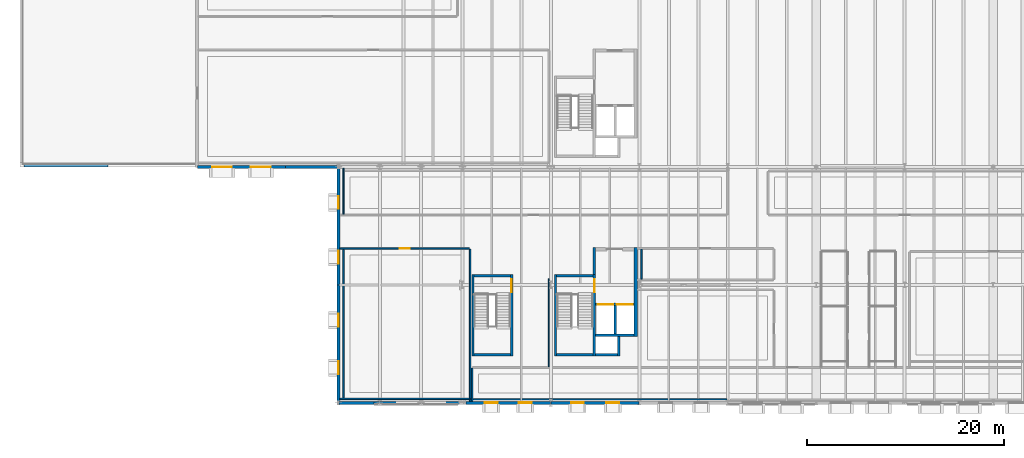
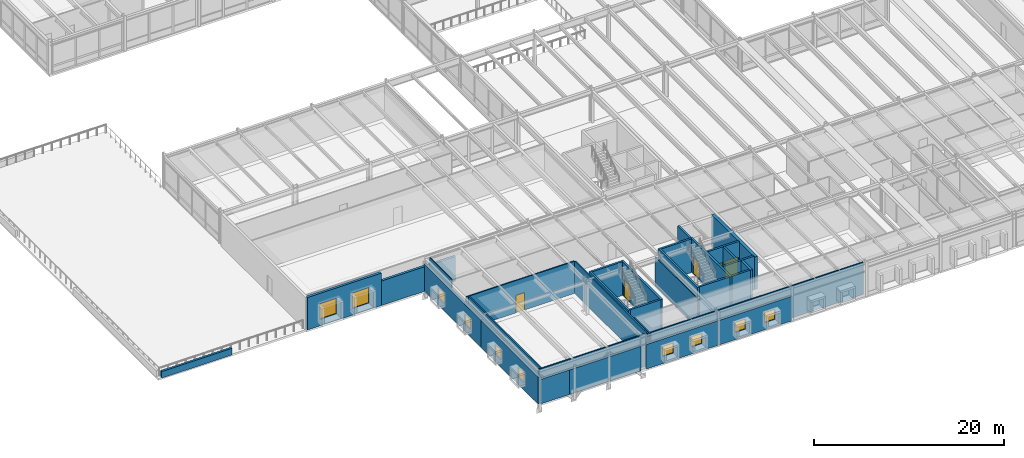
# One storey, part 107 of 127: 33 walls, 10 windows, 5 doors, 15 openings.
"""IFC4 building model written with IfcOpenShell, lengths in metres."""

from ifc_helpers import new_model, si_unit, direction, frame, frame_2d, origin, place, context, subcontext, project, spatial, rectangle, extrude, material, layer, layer_set, type_object, element, fill, save


model = new_model("IFC4")

# Units and contexts
model_context = context("Model", 3, precision=1e-05, world=origin(), true_north=direction((0.0, 1.0)))
body_context = subcontext(model_context, "Body", "Model", "MODEL_VIEW")
ifc_project = project(units=[si_unit("LENGTHUNIT", "METRE"), si_unit("AREAUNIT", "SQUARE_METRE"), si_unit("VOLUMEUNIT", "CUBIC_METRE"), si_unit("PLANEANGLEUNIT", "RADIAN"), si_unit("MASSUNIT", "GRAM", prefix="KILO")], contexts=[model_context])

# Site, building, storey
site_placement = place(None, origin())
site = spatial("IfcSite", under=ifc_project, at=site_placement, CompositionType="ELEMENT")
building_placement = place(site_placement, origin())
building = spatial("IfcBuilding", under=site, at=building_placement, Name="Montelvaro Courts of Justice", CompositionType="ELEMENT")
storey_placement = place(building_placement, frame((0.0, 0.0, 5.39990234375)))
storey = spatial("IfcBuildingStorey", under=building, at=storey_placement, Name="L01", CompositionType="ELEMENT", Elevation=5.39990234375)

# Walls
ifc_material_1 = material(Name="Gypsum board on metal stud")
ifc_layer_1 = layer(ifc_material_1, 0.14990234375)
ifc_layer_set_1 = layer_set([ifc_layer_1], Name="Gypsum board on metal stud")
wall_type_1 = type_object("IfcWallType", Name="ChambersPartition_150", PredefinedType="PARTITIONING", material=ifc_layer_set_1)
wall_1_placement = place(storey_placement, frame((71.919921875, 0.360107421875, 0.0), z_axis=(0.0, 0.0, 1.0), x_axis=(-1.0, 0.0, 0.0)))
element("IfcWall", 1, at=wall_1_placement, inside=storey, type_object=wall_type_1, Name="Interior Partition IW-04 (L01)", PredefinedType="PARTITIONING", context=body_context, shape_type="SweptSolid", body=[
    extrude(rectangle(XDim=25.83984375, YDim=0.14990234375, at=frame_2d((12.919921875, 0.0))), origin(), (0.0, 0.0, 1.0), 4.14013671875),
])
wall_2_placement = place(storey_placement, frame((46.0, 0.14501953125, 0.0), z_axis=(0.0, 0.0, 1.0), x_axis=(0.0, 1.0, 0.0)))
element("IfcWall", 2, at=wall_2_placement, inside=storey, type_object=wall_type_1, Name="Interior Partition IW-04 (L01)", PredefinedType="PARTITIONING", context=body_context, shape_type="SweptSolid", body=[
    extrude(rectangle(XDim=3.375, YDim=0.14990234375, at=frame_2d((1.6875, 0.0))), origin(), (0.0, 0.0, 1.0), 4.14013671875),
])

# Wall, opening, door
wall_3_placement = place(storey_placement, frame((32.544921875, 15.699951171875, 0.0), z_axis=(0.0, 0.0, 1.0), x_axis=(1.0, 0.0, 0.0)))
wall_3 = element("IfcWall", 3, at=wall_3_placement, inside=storey, type_object=wall_type_1, Name="Interior Partition IW-04 (L01)", PredefinedType="PARTITIONING", context=body_context, shape_type="SweptSolid", body=[
    extrude(rectangle(XDim=13.175048828125, YDim=0.14990234375, at=frame_2d((6.58740234375, 0.0))), origin(), (0.0, 0.0, 1.0), 4.14013671875),
])
opening_1_placement = place(wall_3_placement, frame((6.06201171875, 0.0, 0.0)))
opening_1 = element("IfcOpeningElement", 4, at=opening_1_placement, cuts=wall_3, Name="Opening D-L01-069", PredefinedType="OPENING", context=body_context, shape_type="SweptSolid", body=[
    extrude(rectangle(XDim=1.050048828125, YDim=2.25, at=frame_2d((0.52490234375, 1.125))), frame((0.0, 0.08984375, 0.0), z_axis=(0.0, -1.0, 0.0), x_axis=(1.0, 0.0, 0.0)), (0.0, 0.0, 1.0), 0.1796875),
])
ifc_material_2 = material(Name="Acoustic oak timber veneer", Category="wood")
door_type_1 = type_object("IfcDoorType", Name="ChamberDoor_105x225", OperationType="NOTDEFINED", PredefinedType="DOOR", material=ifc_material_2)
door_1_placement = place(opening_1_placement, frame((1.050048828125, 0.0, 0.0), z_axis=(0.0, 0.0, 1.0), x_axis=(-1.0, 0.0, 0.0)))
door_1 = element("IfcDoor", 5, at=door_1_placement, inside=storey, type_object=door_type_1, Name="Interior Door D-L01-069 (West Overhang Advocates' Assembly Suite L01)", OperationType="SINGLE_SWING_RIGHT", OverallHeight=2.25, OverallWidth=1.050048828125, PredefinedType="DOOR", context=body_context, shape_type="SweptSolid", body=[
    extrude(rectangle(XDim=1.050048828125, YDim=2.25, at=frame_2d((0.52490234375, 1.125))), frame((0.0, 0.02490234375, 0.0), z_axis=(0.0, -1.0, 0.0), x_axis=(1.0, 0.0, 0.0)), (0.0, 0.0, 1.0), 0.050048828125),
])
fill(opening_1, door_1)

# Walls
wall_4_placement = place(storey_placement, frame((45.800048828125, 15.6201171875, 0.0), z_axis=(0.0, 0.0, 1.0), x_axis=(0.0, -1.0, 0.0)))
element("IfcWall", 6, at=wall_4_placement, inside=storey, type_object=wall_type_1, Name="Interior Partition IW-04 (L01)", PredefinedType="PARTITIONING", context=body_context, shape_type="SweptSolid", body=[
    extrude(rectangle(XDim=15.47509765625, YDim=0.14990234375, at=frame_2d((7.737548828125, 0.0))), origin(), (0.0, 0.0, 1.0), 4.14013671875),
])
wall_5_placement = place(storey_placement, frame((45.72998046875, 0.39990234375, 0.0), z_axis=(0.0, 0.0, 1.0), x_axis=(-1.0, 0.0, 0.0)))
element("IfcWall", 7, at=wall_5_placement, inside=storey, type_object=wall_type_1, Name="Interior Partition IW-04 (L01)", PredefinedType="PARTITIONING", context=body_context, shape_type="SweptSolid", body=[
    extrude(rectangle(XDim=13.18505859375, YDim=0.14990234375, at=frame_2d((6.592529296875, 0.0))), origin(), (0.0, 0.0, 1.0), 4.14013671875),
])
wall_6_placement = place(storey_placement, frame((32.89990234375, 0.469970703125, 0.0), z_axis=(0.0, 0.0, 1.0), x_axis=(0.0, 1.0, 0.0)))
element("IfcWall", 8, at=wall_6_placement, inside=storey, type_object=wall_type_1, Name="Interior Partition IW-04 (L01)", PredefinedType="PARTITIONING", context=body_context, shape_type="SweptSolid", body=[
    extrude(rectangle(XDim=15.159912109375, YDim=0.14990234375, at=frame_2d((7.580078125, 0.0))), origin(), (0.0, 0.0, 1.0), 4.14013671875),
])
wall_7_placement = place(storey_placement, frame((63.199951171875, 12.570068359375, 0.0), z_axis=(0.0, 0.0, 1.0), x_axis=(0.0, 1.0, 0.0)))
element("IfcWall", 9, at=wall_7_placement, inside=storey, type_object=wall_type_1, Name="Interior Partition IW-04 (L01)", PredefinedType="PARTITIONING", context=body_context, shape_type="SweptSolid", body=[
    extrude(rectangle(XDim=3.050048828125, YDim=0.14990234375, at=frame_2d((1.52490234375, 0.0))), origin(), (0.0, 0.0, 1.0), 3.68505859375),
])
ifc_material_3 = material(Name="Concrete C40/50", Category="concrete")
ifc_layer_2 = layer(ifc_material_3, 0.360107421875)
ifc_layer_set_2 = layer_set([ifc_layer_2], Name="Concrete C40/50")
wall_type_2 = type_object("IfcWallType", Name="CoreWall_360", PredefinedType="SHEAR", material=ifc_layer_set_2)
wall_8_placement = place(storey_placement, frame((62.6201171875, 6.760009765625, 0.0), z_axis=(0.0, 0.0, 1.0), x_axis=(0.0, 1.0, 0.0)))
element("IfcWall", 10, at=wall_8_placement, inside=storey, type_object=wall_type_2, Name="Core Shear Wall CW-01 K1-E (L01)", PredefinedType="SHEAR", context=body_context, shape_type="SweptSolid", body=[
    extrude(rectangle(XDim=9.0400390625, YDim=0.360107421875, at=frame_2d((4.52001953125, 0.0))), origin(), (0.0, 0.0, 1.0), 4.16015625),
])

# Wall, openings, windows
ifc_material_4 = material(Name="White mineral precast concrete C45/55", Category="concrete")
ifc_layer_3 = layer(ifc_material_4, 0.300048828125)
ifc_layer_set_3 = layer_set([ifc_layer_3], Name="White mineral precast concrete C45/55")
wall_type_3 = type_object("IfcWallType", Name="ExtWall_GFRC_300", PredefinedType="SOLIDWALL", material=ifc_layer_set_3)
wall_9_placement = place(storey_placement, frame((18.0400390625, 24.0, 0.0), z_axis=(0.0, 0.0, 1.0), x_axis=(1.0, 0.0, 0.0)))
wall_9 = element("IfcWall", 11, at=wall_9_placement, inside=storey, type_object=wall_type_3, Name="Exterior Facade Wall EW-02 (L01)", PredefinedType="SOLIDWALL", context=body_context, shape_type="SweptSolid", body=[
    extrude(rectangle(XDim=8.969970703125, YDim=0.300048828125, at=frame_2d((4.48486328125, 0.0))), origin(), (0.0, 0.0, 1.0), 4.18017578125),
])
opening_2_placement = place(wall_9_placement, frame((1.511962890625, 0.0, 0.85009765625)))
opening_2 = element("IfcOpeningElement", 12, at=opening_2_placement, cuts=wall_9, Name="Opening WE-11", PredefinedType="OPENING", context=body_context, shape_type="SweptSolid", body=[
    extrude(rectangle(XDim=2.0, YDim=2.0, at=frame_2d((1.0, 1.0))), frame((0.0, 0.1650390625, 0.0), z_axis=(0.0, -1.0, 0.0), x_axis=(1.0, 0.0, 0.0)), (0.0, 0.0, 1.0), 0.329833984375),
])
opening_3_placement = place(wall_9_placement, frame((5.4580078125, 0.0, 0.85009765625)))
opening_3 = element("IfcOpeningElement", 13, at=opening_3_placement, cuts=wall_9, Name="Opening WE-11", PredefinedType="OPENING", context=body_context, shape_type="SweptSolid", body=[
    extrude(rectangle(XDim=2.0, YDim=2.0, at=frame_2d((1.0, 1.0))), frame((0.0, 0.1650390625, 0.0), z_axis=(0.0, -1.0, 0.0), x_axis=(1.0, 0.0, 0.0)), (0.0, 0.0, 1.0), 0.329833984375),
])
ifc_material_5 = material(Name="Low-E solar control double glazing", Category="glass")
window_type_1 = type_object("IfcWindowType", Name="Win_Sq_200x200", PartitioningType="SINGLE_PANEL", PredefinedType="WINDOW", material=ifc_material_5)
window_1_placement = place(opening_2_placement, origin())
window_1 = element("IfcWindow", 14, at=window_1_placement, inside=storey, type_object=window_type_1, Name="Window W-L01-046", OverallHeight=2.0, OverallWidth=2.0, PartitioningType="SINGLE_PANEL", PredefinedType="WINDOW", context=body_context, shape_type="SweptSolid", body=[
    extrude(rectangle(XDim=2.0, YDim=2.0, at=frame_2d((1.0, 1.0))), frame((0.0, 0.030029296875, 0.0), z_axis=(0.0, -1.0, 0.0), x_axis=(1.0, 0.0, 0.0)), (0.0, 0.0, 1.0), 0.06005859375),
])
fill(opening_2, window_1)
window_2_placement = place(opening_3_placement, origin())
window_2 = element("IfcWindow", 15, at=window_2_placement, inside=storey, type_object=window_type_1, Name="Window W-L01-047", OverallHeight=2.0, OverallWidth=2.0, PartitioningType="SINGLE_PANEL", PredefinedType="WINDOW", context=body_context, shape_type="SweptSolid", body=[
    extrude(rectangle(XDim=2.0, YDim=2.0, at=frame_2d((1.0, 1.0))), frame((0.0, 0.030029296875, 0.0), z_axis=(0.0, -1.0, 0.0), x_axis=(1.0, 0.0, 0.0)), (0.0, 0.0, 1.0), 0.06005859375),
])
fill(opening_3, window_2)

# Walls
wall_10_placement = place(storey_placement, frame((26.989990234375, 24.0, 0.0), z_axis=(0.0, 0.0, 1.0), x_axis=(1.0, 0.0, 0.0)))
element("IfcWall", 16, at=wall_10_placement, inside=storey, type_object=wall_type_3, Name="Exterior Facade Wall EW-02 (L01)", PredefinedType="SOLIDWALL", context=body_context, shape_type="SweptSolid", body=[
    extrude(rectangle(XDim=9.02001953125, YDim=0.300048828125, at=frame_2d((4.510009765625, 0.0))), origin(), (0.0, 0.0, 1.0), 3.147216796875),
])
wall_11_placement = place(storey_placement, frame((32.43994140625, 0.0, 0.0), z_axis=(0.0, 0.0, 1.0), x_axis=(1.0, 0.0, 0.0)))
element("IfcWall", 17, at=wall_11_placement, inside=storey, type_object=wall_type_3, Name="Exterior Facade Wall EW-02 (L01)", PredefinedType="SOLIDWALL", context=body_context, shape_type="SweptSolid", body=[
    extrude(rectangle(XDim=3.570068359375, YDim=0.300048828125, at=frame_2d((1.78515625, 0.0))), origin(), (0.0, 0.0, 1.0), 3.147216796875),
])
wall_12_placement = place(storey_placement, frame((35.989990234375, 0.0, 0.0), z_axis=(0.0, 0.0, 1.0), x_axis=(1.0, 0.0, 0.0)))
element("IfcWall", 18, at=wall_12_placement, inside=storey, type_object=wall_type_3, Name="Exterior Facade Wall EW-02 (L01)", PredefinedType="SOLIDWALL", context=body_context, shape_type="SweptSolid", body=[
    extrude(rectangle(XDim=8.654052734375, YDim=0.300048828125, at=frame_2d((4.3271484375, 0.0))), origin(), (0.0, 0.0, 1.0), 3.147216796875),
])

# Wall, openings, windows
wall_13_placement = place(storey_placement, frame((45.35595703125, 0.0, 0.0), z_axis=(0.0, 0.0, 1.0), x_axis=(1.0, 0.0, 0.0)))
wall_13 = element("IfcWall", 19, at=wall_13_placement, inside=storey, type_object=wall_type_3, Name="Exterior Facade Wall EW-02 (L01)", PredefinedType="SOLIDWALL", context=body_context, shape_type="SweptSolid", body=[
    extrude(rectangle(XDim=8.635986328125, YDim=0.300048828125, at=frame_2d((4.31787109375, 0.0))), origin(), (0.0, 0.0, 1.0), 3.147216796875),
])
opening_4_placement = place(wall_13_placement, frame((1.94091796875, 0.0, 0.89990234375)))
opening_4 = element("IfcOpeningElement", 20, at=opening_4_placement, cuts=wall_13, Name="Opening WE-18", PredefinedType="OPENING", context=body_context, shape_type="SweptSolid", body=[
    extrude(rectangle(XDim=1.300048828125, YDim=1.300048828125, at=frame_2d((0.64990234375, 0.64990234375))), frame((0.0, 0.1650390625, 0.0), z_axis=(0.0, -1.0, 0.0), x_axis=(1.0, 0.0, 0.0)), (0.0, 0.0, 1.0), 0.329833984375),
])
opening_5_placement = place(wall_13_placement, frame((5.39501953125, 0.0, 0.89990234375)))
opening_5 = element("IfcOpeningElement", 21, at=opening_5_placement, cuts=wall_13, Name="Opening WE-18", PredefinedType="OPENING", context=body_context, shape_type="SweptSolid", body=[
    extrude(rectangle(XDim=1.300048828125, YDim=1.300048828125, at=frame_2d((0.64990234375, 0.64990234375))), frame((0.0, 0.1650390625, 0.0), z_axis=(0.0, -1.0, 0.0), x_axis=(1.0, 0.0, 0.0)), (0.0, 0.0, 1.0), 0.329833984375),
])
window_type_2 = type_object("IfcWindowType", Name="Win_Sq_130x130", PartitioningType="SINGLE_PANEL", PredefinedType="WINDOW", material=ifc_material_5)
window_3_placement = place(opening_4_placement, origin())
window_3 = element("IfcWindow", 22, at=window_3_placement, inside=storey, type_object=window_type_2, Name="Window W-L01-050", OverallHeight=1.300048828125, OverallWidth=1.300048828125, PartitioningType="SINGLE_PANEL", PredefinedType="WINDOW", context=body_context, shape_type="SweptSolid", body=[
    extrude(rectangle(XDim=1.300048828125, YDim=1.300048828125, at=frame_2d((0.64990234375, 0.64990234375))), frame((0.0, 0.030029296875, 0.0), z_axis=(0.0, -1.0, 0.0), x_axis=(1.0, 0.0, 0.0)), (0.0, 0.0, 1.0), 0.06005859375),
])
fill(opening_4, window_3)
window_4_placement = place(opening_5_placement, origin())
window_4 = element("IfcWindow", 23, at=window_4_placement, inside=storey, type_object=window_type_2, Name="Window W-L01-051", OverallHeight=1.300048828125, OverallWidth=1.300048828125, PartitioningType="SINGLE_PANEL", PredefinedType="WINDOW", context=body_context, shape_type="SweptSolid", body=[
    extrude(rectangle(XDim=1.300048828125, YDim=1.300048828125, at=frame_2d((0.64990234375, 0.64990234375))), frame((0.0, 0.030029296875, 0.0), z_axis=(0.0, -1.0, 0.0), x_axis=(1.0, 0.0, 0.0)), (0.0, 0.0, 1.0), 0.06005859375),
])
fill(opening_5, window_4)

wall_14_placement = place(storey_placement, frame((54.008056640625, 0.0, 0.0), z_axis=(0.0, 0.0, 1.0), x_axis=(1.0, 0.0, 0.0)))
wall_14 = element("IfcWall", 24, at=wall_14_placement, inside=storey, type_object=wall_type_3, Name="Exterior Facade Wall EW-02 (L01)", PredefinedType="SOLIDWALL", context=body_context, shape_type="SweptSolid", body=[
    extrude(rectangle(XDim=8.98388671875, YDim=0.300048828125, at=frame_2d((4.491943359375, 0.0))), origin(), (0.0, 0.0, 1.0), 3.147216796875),
])
opening_6_placement = place(wall_14_placement, frame((2.044921875, 0.0, 0.89990234375)))
opening_6 = element("IfcOpeningElement", 25, at=opening_6_placement, cuts=wall_14, Name="Opening WE-18", PredefinedType="OPENING", context=body_context, shape_type="SweptSolid", body=[
    extrude(rectangle(XDim=1.300048828125, YDim=1.300048828125, at=frame_2d((0.64990234375, 0.64990234375))), frame((0.0, 0.1650390625, 0.0), z_axis=(0.0, -1.0, 0.0), x_axis=(1.0, 0.0, 0.0)), (0.0, 0.0, 1.0), 0.329833984375),
])
opening_7_placement = place(wall_14_placement, frame((5.638916015625, 0.0, 0.89990234375)))
opening_7 = element("IfcOpeningElement", 26, at=opening_7_placement, cuts=wall_14, Name="Opening WE-18", PredefinedType="OPENING", context=body_context, shape_type="SweptSolid", body=[
    extrude(rectangle(XDim=1.300048828125, YDim=1.300048828125, at=frame_2d((0.64990234375, 0.64990234375))), frame((0.0, 0.1650390625, 0.0), z_axis=(0.0, -1.0, 0.0), x_axis=(1.0, 0.0, 0.0)), (0.0, 0.0, 1.0), 0.329833984375),
])
window_5_placement = place(opening_6_placement, origin())
window_5 = element("IfcWindow", 27, at=window_5_placement, inside=storey, type_object=window_type_2, Name="Window W-L01-052", OverallHeight=1.300048828125, OverallWidth=1.300048828125, PartitioningType="SINGLE_PANEL", PredefinedType="WINDOW", context=body_context, shape_type="SweptSolid", body=[
    extrude(rectangle(XDim=1.300048828125, YDim=1.300048828125, at=frame_2d((0.64990234375, 0.64990234375))), frame((0.0, 0.030029296875, 0.0), z_axis=(0.0, -1.0, 0.0), x_axis=(1.0, 0.0, 0.0)), (0.0, 0.0, 1.0), 0.06005859375),
])
fill(opening_6, window_5)
window_6_placement = place(opening_7_placement, origin())
window_6 = element("IfcWindow", 28, at=window_6_placement, inside=storey, type_object=window_type_2, Name="Window W-L01-053", OverallHeight=1.300048828125, OverallWidth=1.300048828125, PartitioningType="SINGLE_PANEL", PredefinedType="WINDOW", context=body_context, shape_type="SweptSolid", body=[
    extrude(rectangle(XDim=1.300048828125, YDim=1.300048828125, at=frame_2d((0.64990234375, 0.64990234375))), frame((0.0, 0.030029296875, 0.0), z_axis=(0.0, -1.0, 0.0), x_axis=(1.0, 0.0, 0.0)), (0.0, 0.0, 1.0), 0.06005859375),
])
fill(opening_7, window_6)

wall_15_placement = place(storey_placement, frame((32.39990234375, 23.9599609375, 0.0), z_axis=(0.0, 0.0, 1.0), x_axis=(0.0, -1.0, 0.0)))
wall_15 = element("IfcWall", 29, at=wall_15_placement, inside=storey, type_object=wall_type_3, Name="Exterior Facade Wall EW-02 (L01)", PredefinedType="SOLIDWALL", context=body_context, shape_type="SweptSolid", body=[
    extrude(rectangle(XDim=11.969970703125, YDim=0.300048828125, at=frame_2d((5.98486328125, 0.0))), origin(), (0.0, 0.0, 1.0), 3.455078125),
])
opening_8_placement = place(wall_15_placement, frame((2.94091796875, 0.0, 0.89990234375)))
opening_8 = element("IfcOpeningElement", 30, at=opening_8_placement, cuts=wall_15, Name="Opening WE-18", PredefinedType="OPENING", context=body_context, shape_type="SweptSolid", body=[
    extrude(rectangle(XDim=1.300048828125, YDim=1.300048828125, at=frame_2d((0.64990234375, 0.64990234375))), frame((0.0, 0.1650390625, 0.0), z_axis=(0.0, -1.0, 0.0), x_axis=(1.0, 0.0, 0.0)), (0.0, 0.0, 1.0), 0.329833984375),
])
opening_9_placement = place(wall_15_placement, frame((8.5, 0.0, 0.89990234375)))
opening_9 = element("IfcOpeningElement", 31, at=opening_9_placement, cuts=wall_15, Name="Opening WE-18", PredefinedType="OPENING", context=body_context, shape_type="SweptSolid", body=[
    extrude(rectangle(XDim=1.300048828125, YDim=1.300048828125, at=frame_2d((0.64990234375, 0.64990234375))), frame((0.0, 0.1650390625, 0.0), z_axis=(0.0, -1.0, 0.0), x_axis=(1.0, 0.0, 0.0)), (0.0, 0.0, 1.0), 0.329833984375),
])
window_7_placement = place(opening_8_placement, origin())
window_7 = element("IfcWindow", 32, at=window_7_placement, inside=storey, type_object=window_type_2, Name="Window W-L01-058", OverallHeight=1.300048828125, OverallWidth=1.300048828125, PartitioningType="SINGLE_PANEL", PredefinedType="WINDOW", context=body_context, shape_type="SweptSolid", body=[
    extrude(rectangle(XDim=1.300048828125, YDim=1.300048828125, at=frame_2d((0.64990234375, 0.64990234375))), frame((0.0, 0.030029296875, 0.0), z_axis=(0.0, -1.0, 0.0), x_axis=(1.0, 0.0, 0.0)), (0.0, 0.0, 1.0), 0.06005859375),
])
fill(opening_8, window_7)
window_8_placement = place(opening_9_placement, origin())
window_8 = element("IfcWindow", 33, at=window_8_placement, inside=storey, type_object=window_type_2, Name="Window W-L01-059", OverallHeight=1.300048828125, OverallWidth=1.300048828125, PartitioningType="SINGLE_PANEL", PredefinedType="WINDOW", context=body_context, shape_type="SweptSolid", body=[
    extrude(rectangle(XDim=1.300048828125, YDim=1.300048828125, at=frame_2d((0.64990234375, 0.64990234375))), frame((0.0, 0.030029296875, 0.0), z_axis=(0.0, -1.0, 0.0), x_axis=(1.0, 0.0, 0.0)), (0.0, 0.0, 1.0), 0.06005859375),
])
fill(opening_9, window_8)

wall_16_placement = place(storey_placement, frame((32.39990234375, 12.010009765625, 0.0), z_axis=(0.0, 0.0, 1.0), x_axis=(0.0, -1.0, 0.0)))
wall_16 = element("IfcWall", 34, at=wall_16_placement, inside=storey, type_object=wall_type_3, Name="Exterior Facade Wall EW-02 (L01)", PredefinedType="SOLIDWALL", context=body_context, shape_type="SweptSolid", body=[
    extrude(rectangle(XDim=12.050048828125, YDim=0.300048828125, at=frame_2d((6.02490234375, 0.0))), origin(), (0.0, 0.0, 1.0), 3.455078125),
])
opening_10_placement = place(wall_16_placement, frame((2.965087890625, 0.0, 0.89990234375)))
opening_10 = element("IfcOpeningElement", 35, at=opening_10_placement, cuts=wall_16, Name="Opening WE-18", PredefinedType="OPENING", context=body_context, shape_type="SweptSolid", body=[
    extrude(rectangle(XDim=1.300048828125, YDim=1.300048828125, at=frame_2d((0.64990234375, 0.64990234375))), frame((0.0, 0.1650390625, 0.0), z_axis=(0.0, -1.0, 0.0), x_axis=(1.0, 0.0, 0.0)), (0.0, 0.0, 1.0), 0.329833984375),
])
opening_11_placement = place(wall_16_placement, frame((7.784912109375, 0.0, 0.89990234375)))
opening_11 = element("IfcOpeningElement", 36, at=opening_11_placement, cuts=wall_16, Name="Opening WE-18", PredefinedType="OPENING", context=body_context, shape_type="SweptSolid", body=[
    extrude(rectangle(XDim=1.300048828125, YDim=1.300048828125, at=frame_2d((0.64990234375, 0.64990234375))), frame((0.0, 0.1650390625, 0.0), z_axis=(0.0, -1.0, 0.0), x_axis=(1.0, 0.0, 0.0)), (0.0, 0.0, 1.0), 0.329833984375),
])
window_9_placement = place(opening_10_placement, origin())
window_9 = element("IfcWindow", 37, at=window_9_placement, inside=storey, type_object=window_type_2, Name="Window W-L01-060", OverallHeight=1.300048828125, OverallWidth=1.300048828125, PartitioningType="SINGLE_PANEL", PredefinedType="WINDOW", context=body_context, shape_type="SweptSolid", body=[
    extrude(rectangle(XDim=1.300048828125, YDim=1.300048828125, at=frame_2d((0.64990234375, 0.64990234375))), frame((0.0, 0.030029296875, 0.0), z_axis=(0.0, -1.0, 0.0), x_axis=(1.0, 0.0, 0.0)), (0.0, 0.0, 1.0), 0.06005859375),
])
fill(opening_10, window_9)
window_10_placement = place(opening_11_placement, origin())
window_10 = element("IfcWindow", 38, at=window_10_placement, inside=storey, type_object=window_type_2, Name="Window W-L01-061", OverallHeight=1.300048828125, OverallWidth=1.300048828125, PartitioningType="SINGLE_PANEL", PredefinedType="WINDOW", context=body_context, shape_type="SweptSolid", body=[
    extrude(rectangle(XDim=1.300048828125, YDim=1.300048828125, at=frame_2d((0.64990234375, 0.64990234375))), frame((0.0, 0.030029296875, 0.0), z_axis=(0.0, -1.0, 0.0), x_axis=(1.0, 0.0, 0.0)), (0.0, 0.0, 1.0), 0.06005859375),
])
fill(opening_11, window_10)

# Walls
ifc_layer_4 = layer(ifc_material_1, 0.1201171875)
ifc_layer_set_4 = layer_set([ifc_layer_4], Name="Gypsum board on metal stud")
wall_type_4 = type_object("IfcWallType", Name="OfficePartition_120", PredefinedType="PARTITIONING", material=ifc_layer_set_4)
wall_17_placement = place(storey_placement, frame((53.800048828125, 12.6201171875, 0.0), z_axis=(0.0, 0.0, 1.0), x_axis=(0.0, -1.0, 0.0)))
element("IfcWall", 39, at=wall_17_placement, inside=storey, type_object=wall_type_4, Name="Interior Partition IW-05 (L01)", PredefinedType="PARTITIONING", context=body_context, shape_type="SweptSolid", body=[
    extrude(rectangle(XDim=8.9501953125, YDim=0.1201171875, at=frame_2d((4.47509765625, 0.0))), origin(), (0.0, 0.0, 1.0), 3.735107421875),
])
wall_18_placement = place(storey_placement, frame((32.89990234375, 19.179931640625, 0.0), z_axis=(0.0, 0.0, 1.0), x_axis=(0.0, 1.0, 0.0)))
element("IfcWall", 40, at=wall_18_placement, inside=storey, type_object=wall_type_4, Name="Interior Partition IW-05 (L01)", PredefinedType="PARTITIONING", context=body_context, shape_type="SweptSolid", body=[
    extrude(rectangle(XDim=4.675048828125, YDim=0.1201171875, at=frame_2d((2.33740234375, 0.0))), origin(), (0.0, 0.0, 1.0), 4.14013671875),
])
ifc_layer_5 = layer(ifc_material_4, 0.239990234375)
ifc_layer_set_5 = layer_set([ifc_layer_5], Name="White mineral precast concrete C45/55")
wall_type_5 = type_object("IfcWallType", Name="ParapetWall_240", PredefinedType="PARAPET", material=ifc_layer_set_5)
wall_19_placement = place(storey_placement, frame((0.419921875, 24.1201171875, -0.099853515625), z_axis=(0.0, 0.0, 1.0), x_axis=(1.0, 0.0, 0.0)))
element("IfcWall", 41, at=wall_19_placement, inside=storey, type_object=wall_type_5, Name="Roof Parapet PW-01 L01-071", PredefinedType="PARAPET", context=body_context, shape_type="SweptSolid", body=[
    extrude(rectangle(XDim=8.52001953125, YDim=0.239990234375, at=frame_2d((4.260009765625, 0.0))), origin(), (0.0, 0.0, 1.0), 0.849853515625),
])
ifc_material_6 = material(Name="Concrete C35/45", Category="concrete")
ifc_layer_6 = layer(ifc_material_6, 0.239990234375)
ifc_layer_set_6 = layer_set([ifc_layer_6], Name="Concrete C35/45")
wall_type_6 = type_object("IfcWallType", Name="ShaftWall_240", PredefinedType="SHEAR", material=ifc_layer_set_6)
wall_20_placement = place(storey_placement, frame((54.47998046875, 4.760009765625, 0.0), z_axis=(0.0, 0.0, 1.0), x_axis=(0.0, 1.0, 0.0)))
element("IfcWall", 42, at=wall_20_placement, inside=storey, type_object=wall_type_6, Name="Protected Stair Structural Wall ST-K1-W (L01)", PredefinedType="SHEAR", context=body_context, shape_type="SweptSolid", body=[
    extrude(rectangle(XDim=8.280029296875, YDim=0.239990234375, at=frame_2d((4.14013671875, 0.0))), origin(), (0.0, 0.0, 1.0), 4.31005859375),
])

# Wall, opening, door
wall_21_placement = place(storey_placement, frame((58.419921875, 4.760009765625, 0.0), z_axis=(0.0, 0.0, 1.0), x_axis=(0.0, 1.0, 0.0)))
wall_21 = element("IfcWall", 43, at=wall_21_placement, inside=storey, type_object=wall_type_6, Name="Protected Stair Structural Wall ST-K1-E (L01)", PredefinedType="SHEAR", context=body_context, shape_type="SweptSolid", body=[
    extrude(rectangle(XDim=8.280029296875, YDim=0.239990234375, at=frame_2d((4.14013671875, 0.0))), origin(), (0.0, 0.0, 1.0), 4.31005859375),
])
opening_12_placement = place(wall_21_placement, frame((6.489990234375, 0.0, 0.0)))
opening_12 = element("IfcOpeningElement", 44, at=opening_12_placement, cuts=wall_21, Name="Opening DS-L01-K1", PredefinedType="OPENING", context=body_context, shape_type="SweptSolid", body=[
    extrude(rectangle(XDim=1.300048828125, YDim=2.199951171875, at=frame_2d((0.64990234375, 1.10009765625))), frame((0.0, 0.134765625, 0.0), z_axis=(0.0, -1.0, 0.0), x_axis=(1.0, 0.0, 0.0)), (0.0, 0.0, 1.0), 0.269775390625),
])
ifc_material_7 = material(Name="Galvanised steel S355 security door", Category="steel")
door_type_2 = type_object("IfcDoorType", Name="StairFireDoor_130x220", OperationType="NOTDEFINED", PredefinedType="DOOR", material=ifc_material_7)
door_2_placement = place(opening_12_placement, frame((1.300048828125, 0.0, 0.0), z_axis=(0.0, 0.0, 1.0), x_axis=(-1.0, 0.0, 0.0)))
door_2 = element("IfcDoor", 45, at=door_2_placement, inside=storey, type_object=door_type_2, Name="Protected Stair Fire Door DS-L01-K1", OperationType="SINGLE_SWING_LEFT", OverallHeight=2.199951171875, OverallWidth=1.300048828125, PredefinedType="DOOR", context=body_context, shape_type="SweptSolid", body=[
    extrude(rectangle(XDim=1.300048828125, YDim=2.199951171875, at=frame_2d((0.64990234375, 1.10009765625))), frame((0.0, 0.02490234375, 0.0), z_axis=(0.0, -1.0, 0.0), x_axis=(1.0, 0.0, 0.0)), (0.0, 0.0, 1.0), 0.050048828125),
])
fill(opening_12, door_2)

# Walls
for number, where, z_axis, x_axis, name in (
    (46, (54.60009765625, 4.8798828125, 0.0), (0.0, 0.0, 1.0), (1.0, 0.0, 0.0), "Protected Stair Structural Wall ST-K1-S (L01)"),
    (47, (54.60009765625, 12.919921875, 0.0), (0.0, 0.0, 1.0), (1.0, 0.0, 0.0), "Protected Stair Structural Wall ST-K1-N (L01)"),
):
    element("IfcWall", number, at=place(storey_placement, frame(where, z_axis=z_axis, x_axis=x_axis)), inside=storey, type_object=wall_type_6, Name=name, PredefinedType="SHEAR", context=body_context, shape_type="SweptSolid", body=[
        extrude(rectangle(XDim=3.699951171875, YDim=0.239990234375, at=frame_2d((1.85009765625, 0.0))), origin(), (0.0, 0.0, 1.0), 4.31005859375),
    ])
wall_22_placement = place(storey_placement, frame((46.080078125, 4.760009765625, 0.0), z_axis=(0.0, 0.0, 1.0), x_axis=(0.0, 1.0, 0.0)))
element("IfcWall", 48, at=wall_22_placement, inside=storey, type_object=wall_type_6, Name="Protected Stair Structural Wall ST-E1-W (L01)", PredefinedType="SHEAR", context=body_context, shape_type="SweptSolid", body=[
    extrude(rectangle(XDim=8.280029296875, YDim=0.239990234375, at=frame_2d((4.14013671875, 0.0))), origin(), (0.0, 0.0, 1.0), 4.31005859375),
])

# Wall, opening, door
wall_23_placement = place(storey_placement, frame((50.02001953125, 4.760009765625, 0.0), z_axis=(0.0, 0.0, 1.0), x_axis=(0.0, 1.0, 0.0)))
wall_23 = element("IfcWall", 49, at=wall_23_placement, inside=storey, type_object=wall_type_6, Name="Protected Stair Structural Wall ST-E1-E (L01)", PredefinedType="SHEAR", context=body_context, shape_type="SweptSolid", body=[
    extrude(rectangle(XDim=8.280029296875, YDim=0.239990234375, at=frame_2d((4.14013671875, 0.0))), origin(), (0.0, 0.0, 1.0), 4.31005859375),
])
opening_13_placement = place(wall_23_placement, frame((6.489990234375, 0.0, 0.0)))
opening_13 = element("IfcOpeningElement", 50, at=opening_13_placement, cuts=wall_23, Name="Opening DS-L01-SE1", PredefinedType="OPENING", context=body_context, shape_type="SweptSolid", body=[
    extrude(rectangle(XDim=1.300048828125, YDim=2.199951171875, at=frame_2d((0.64990234375, 1.10009765625))), frame((0.0, 0.134765625, 0.0), z_axis=(0.0, -1.0, 0.0), x_axis=(1.0, 0.0, 0.0)), (0.0, 0.0, 1.0), 0.269775390625),
])
door_3_placement = place(opening_13_placement, frame((1.300048828125, 0.0, 0.0), z_axis=(0.0, 0.0, 1.0), x_axis=(-1.0, 0.0, 0.0)))
door_3 = element("IfcDoor", 51, at=door_3_placement, inside=storey, type_object=door_type_2, Name="Protected Stair Fire Door DS-L01-SE1", OperationType="SINGLE_SWING_LEFT", OverallHeight=2.199951171875, OverallWidth=1.300048828125, PredefinedType="DOOR", context=body_context, shape_type="SweptSolid", body=[
    extrude(rectangle(XDim=1.300048828125, YDim=2.199951171875, at=frame_2d((0.64990234375, 1.10009765625))), frame((0.0, 0.02490234375, 0.0), z_axis=(0.0, -1.0, 0.0), x_axis=(1.0, 0.0, 0.0)), (0.0, 0.0, 1.0), 0.050048828125),
])
fill(opening_13, door_3)

# Walls
for number, where, z_axis, x_axis, name in (
    (52, (46.199951171875, 4.8798828125, 0.0), (0.0, 0.0, 1.0), (1.0, 0.0, 0.0), "Protected Stair Structural Wall ST-E1-S (L01)"),
    (53, (46.199951171875, 12.919921875, 0.0), (0.0, 0.0, 1.0), (1.0, 0.0, 0.0), "Protected Stair Structural Wall ST-E1-N (L01)"),
):
    element("IfcWall", number, at=place(storey_placement, frame(where, z_axis=z_axis, x_axis=x_axis)), inside=storey, type_object=wall_type_6, Name=name, PredefinedType="SHEAR", context=body_context, shape_type="SweptSolid", body=[
        extrude(rectangle(XDim=3.699951171875, YDim=0.239990234375, at=frame_2d((1.85009765625, 0.0))), origin(), (0.0, 0.0, 1.0), 4.31005859375),
    ])
wall_24_placement = place(storey_placement, frame((58.419921875, 13.0400390625, 0.0), z_axis=(0.0, 0.0, 1.0), x_axis=(0.0, 1.0, 0.0)))
element("IfcWall", 54, at=wall_24_placement, inside=storey, type_object=wall_type_6, Name="Core Lobby Structural Wall K1-W (L01)", PredefinedType="SHEAR", context=body_context, shape_type="SweptSolid", body=[
    extrude(rectangle(XDim=2.760009765625, YDim=0.239990234375, at=frame_2d((1.3798828125, 0.0))), origin(), (0.0, 0.0, 1.0), 4.16015625),
])

# Wall, openings, doors
wall_25_placement = place(storey_placement, frame((58.5400390625, 10.02001953125, 0.0), z_axis=(0.0, 0.0, 1.0), x_axis=(1.0, 0.0, 0.0)))
wall_25 = element("IfcWall", 55, at=wall_25_placement, inside=storey, type_object=wall_type_6, Name="Lift Shaft Bank Wall K1 (L01)", PredefinedType="SHEAR", context=body_context, shape_type="SweptSolid", body=[
    extrude(rectangle(XDim=3.89990234375, YDim=0.239990234375, at=frame_2d((1.949951171875, 0.0))), origin(), (0.0, 0.0, 1.0), 4.31005859375),
])
opening_14_placement = place(wall_25_placement, frame((0.235107421875, 0.0, 0.0)))
opening_14 = element("IfcOpeningElement", 56, at=opening_14_placement, cuts=wall_25, Name="Opening LD-LF-01-L01", PredefinedType="OPENING", context=body_context, shape_type="SweptSolid", body=[
    extrude(rectangle(XDim=1.60009765625, YDim=2.300048828125, at=frame_2d((0.800048828125, 1.14990234375))), frame((0.0, 0.134765625, 0.0), z_axis=(0.0, -1.0, 0.0), x_axis=(1.0, 0.0, 0.0)), (0.0, 0.0, 1.0), 0.269775390625),
])
opening_15_placement = place(wall_25_placement, frame((2.18505859375, 0.0, 0.0)))
opening_15 = element("IfcOpeningElement", 57, at=opening_15_placement, cuts=wall_25, Name="Opening LD-LJ-01-L01", PredefinedType="OPENING", context=body_context, shape_type="SweptSolid", body=[
    extrude(rectangle(XDim=1.60009765625, YDim=2.300048828125, at=frame_2d((0.800048828125, 1.14990234375))), frame((0.0, 0.134765625, 0.0), z_axis=(0.0, -1.0, 0.0), x_axis=(1.0, 0.0, 0.0)), (0.0, 0.0, 1.0), 0.269775390625),
])
door_type_3 = type_object("IfcDoorType", Name="LiftDoor_160x230", OperationType="DOUBLE_DOOR_SLIDING", PredefinedType="DOOR", material=ifc_material_7)
door_4_placement = place(opening_14_placement, origin())
door_4 = element("IfcDoor", 58, at=door_4_placement, inside=storey, type_object=door_type_3, Name="Lift Landing Sliding Door LD-LF-01-L01", OperationType="DOUBLE_DOOR_SLIDING", OverallHeight=2.300048828125, OverallWidth=1.60009765625, PredefinedType="DOOR", context=body_context, shape_type="SweptSolid", body=[
    extrude(rectangle(XDim=1.60009765625, YDim=2.300048828125, at=frame_2d((0.800048828125, 1.14990234375))), frame((0.0, 0.02490234375, 0.0), z_axis=(0.0, -1.0, 0.0), x_axis=(1.0, 0.0, 0.0)), (0.0, 0.0, 1.0), 0.050048828125),
])
fill(opening_14, door_4)
door_5_placement = place(opening_15_placement, origin())
door_5 = element("IfcDoor", 59, at=door_5_placement, inside=storey, type_object=door_type_3, Name="Lift Landing Sliding Door LD-LJ-01-L01", OperationType="DOUBLE_DOOR_SLIDING", OverallHeight=2.300048828125, OverallWidth=1.60009765625, PredefinedType="DOOR", context=body_context, shape_type="SweptSolid", body=[
    extrude(rectangle(XDim=1.60009765625, YDim=2.300048828125, at=frame_2d((0.800048828125, 1.14990234375))), frame((0.0, 0.02490234375, 0.0), z_axis=(0.0, -1.0, 0.0), x_axis=(1.0, 0.0, 0.0)), (0.0, 0.0, 1.0), 0.050048828125),
])
fill(opening_15, door_5)

# Walls
wall_26_placement = place(storey_placement, frame((58.5400390625, 6.8798828125, 0.0), z_axis=(0.0, 0.0, 1.0), x_axis=(1.0, 0.0, 0.0)))
element("IfcWall", 60, at=wall_26_placement, inside=storey, type_object=wall_type_6, Name="Lift Shaft Back Wall K1 (L01)", PredefinedType="SHEAR", context=body_context, shape_type="SweptSolid", body=[
    extrude(rectangle(XDim=3.89990234375, YDim=0.239990234375, at=frame_2d((1.949951171875, 0.0))), origin(), (0.0, 0.0, 1.0), 4.31005859375),
])
wall_27_placement = place(storey_placement, frame((60.550048828125, 7.0, 0.0), z_axis=(0.0, 0.0, 1.0), x_axis=(0.0, 1.0, 0.0)))
element("IfcWall", 61, at=wall_27_placement, inside=storey, type_object=wall_type_6, Name="Lift Shaft Divider Wall K1-LFD1 (L01)", PredefinedType="SHEAR", context=body_context, shape_type="SweptSolid", body=[
    extrude(rectangle(XDim=2.89990234375, YDim=0.239990234375, at=frame_2d((1.449951171875, 0.0))), origin(), (0.0, 0.0, 1.0), 4.31005859375),
])
wall_28_placement = place(storey_placement, frame((60.919921875, 4.760009765625, 0.0), z_axis=(0.0, 0.0, 1.0), x_axis=(0.0, 1.0, 0.0)))
element("IfcWall", 62, at=wall_28_placement, inside=storey, type_object=wall_type_6, Name="Service Riser East Shaft Wall K1 (L01)", PredefinedType="SHEAR", context=body_context, shape_type="SweptSolid", body=[
    extrude(rectangle(XDim=2.0, YDim=0.239990234375, at=frame_2d((1.0, 0.0))), origin(), (0.0, 0.0, 1.0), 4.31005859375),
])
wall_29_placement = place(storey_placement, frame((58.5400390625, 4.8798828125, 0.0), z_axis=(0.0, 0.0, 1.0), x_axis=(1.0, 0.0, 0.0)))
element("IfcWall", 63, at=wall_29_placement, inside=storey, type_object=wall_type_6, Name="Service Riser South Shaft Wall K1 (L01)", PredefinedType="SHEAR", context=body_context, shape_type="SweptSolid", body=[
    extrude(rectangle(XDim=2.260009765625, YDim=0.239990234375, at=frame_2d((1.1298828125, 0.0))), origin(), (0.0, 0.0, 1.0), 4.31005859375),
])

save(model, "model.ifc")
